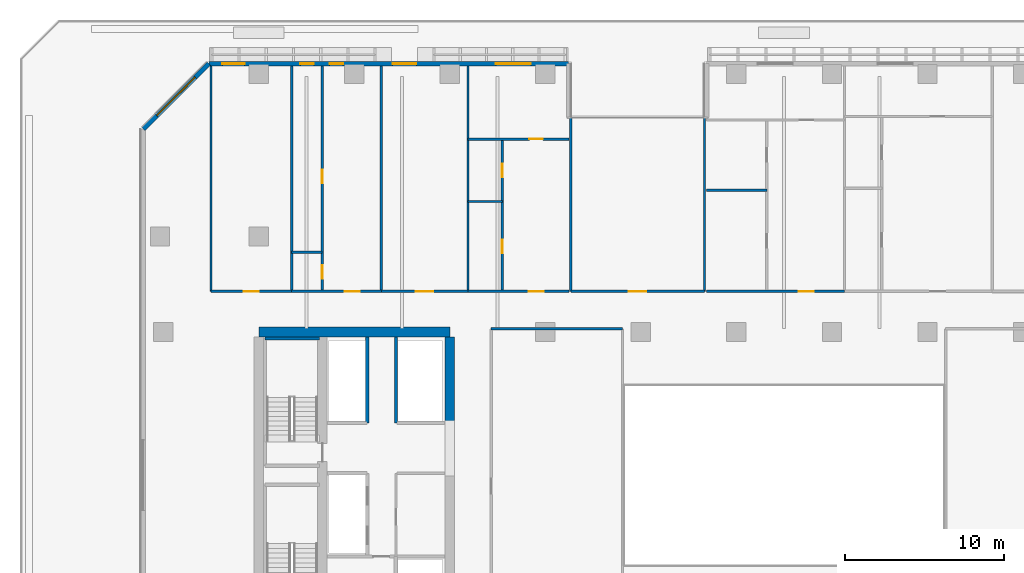
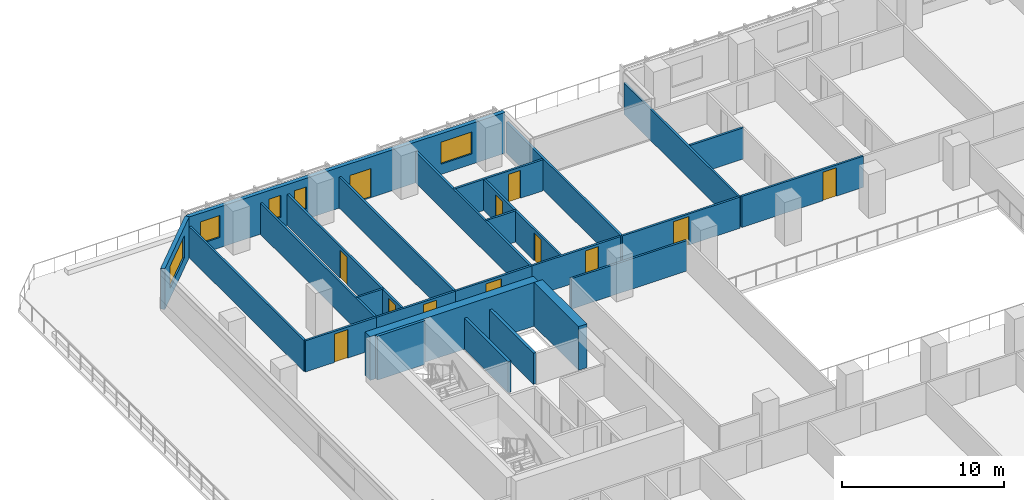
# One storey, part 8 of 23: 26 walls, 12 doors, 5 windows, 17 openings.
"""IFC4 building model written with IfcOpenShell, lengths in metres."""

import ifcopenshell
import ifcopenshell.guid

model = None  # the IFC model being written
_history = None  # IfcOwnerHistory: only IFC2X3 demands one
_inside = {}  # id of a spatial element -> (the spatial element, [elements in it])
_under = {}  # id of a project, library or spatial element -> (it, [spatial elements below it])
_declared = {}  # id of a project -> (the project, [libraries it declares])
_typed = {}  # id of a type object -> (the type object, [elements of that type])
_made_of = {}  # id of a material, layer set ... -> (it, [elements and type objects made of it])


def new_model(schema):
    """Start an empty IFC model of exactly this schema.

    Asked for "IFC4X3", IfcOpenShell would pick the latest addendum, in which some entities
    have other attributes; the version numbers below select the first issue.
    IFC2X3 requires an IfcOwnerHistory on every rooted entity: one is made here for all.
    """
    global model, _history
    if schema == "IFC4X3":
        model = ifcopenshell.file(schema_version=(4, 3, 0, 0))
    else:
        model = ifcopenshell.file(schema=schema)
    _inside.clear()
    _under.clear()
    _declared.clear()
    _typed.clear()
    _made_of.clear()
    _history = None
    if model.schema == "IFC2X3":
        org = make("IfcOrganization", Name="unknown")
        user = make(
            "IfcPersonAndOrganization",
            ThePerson=make("IfcPerson", FamilyName="unknown"),
            TheOrganization=org,
        )
        app = make(
            "IfcApplication",
            ApplicationDeveloper=org,
            Version="unknown",
            ApplicationFullName="unknown",
            ApplicationIdentifier="unknown",
        )
        _history = make(
            "IfcOwnerHistory",
            OwningUser=user,
            OwningApplication=app,
            ChangeAction="ADDED",
            CreationDate=0,
        )
    return model


def make(cls, **values):
    """One entity of the class cls with the attributes given. An attribute that is None is left unset."""
    return model.create_entity(
        cls, **{name: value for name, value in values.items() if value is not None}
    )


def rooted(cls, **values):
    """An entity with a GlobalId (a new one), such as an element, a storey or a relation."""
    return make(cls, GlobalId=ifcopenshell.guid.new(), OwnerHistory=_history, **values)


def si_unit(unit_type, name, prefix=None):
    """IfcSIUnit, for example si_unit("LENGTHUNIT", "METRE", prefix="MILLI")."""
    return make("IfcSIUnit", UnitType=unit_type, Prefix=prefix, Name=name)


def assignment(units):
    """IfcUnitAssignment: the units of a project."""
    return None if units is None else make("IfcUnitAssignment", Units=units)


def point(xyz):
    """IfcCartesianPoint."""
    return None if xyz is None else make("IfcCartesianPoint", Coordinates=xyz)


def direction(xyz):
    """IfcDirection."""
    return None if xyz is None else make("IfcDirection", DirectionRatios=xyz)


def frame(location, z_axis=None, x_axis=None):
    """IfcAxis2Placement3D, a coordinate frame: its origin and axes. An axis left out is left unset."""
    return make(
        "IfcAxis2Placement3D",
        Location=point(location),
        Axis=direction(z_axis),
        RefDirection=direction(x_axis),
    )


def frame_2d(location, x_axis=None):
    """IfcAxis2Placement2D, a coordinate frame in the plane: its origin and x axis."""
    return make(
        "IfcAxis2Placement2D", Location=point(location), RefDirection=direction(x_axis)
    )


def origin():
    """The frame at (0, 0, 0) with its axes left unset."""
    return frame((0.0, 0.0, 0.0))


def place(relative_to, where):
    """IfcLocalPlacement: puts the frame where relative to a parent placement (None: the world)."""
    return make(
        "IfcLocalPlacement", PlacementRelTo=relative_to, RelativePlacement=where
    )


def context(
    kind, dimensions, precision=None, world=None, true_north=None, identifier=None
):
    """IfcGeometricRepresentationContext, for example the 3D "Model" context."""
    return make(
        "IfcGeometricRepresentationContext",
        ContextIdentifier=identifier,
        ContextType=kind,
        CoordinateSpaceDimension=dimensions,
        Precision=precision,
        WorldCoordinateSystem=world,
        TrueNorth=true_north,
    )


def subcontext(parent, identifier, kind, view, scale=None):
    """IfcGeometricRepresentationSubContext, for example "Body" below "Model"."""
    return make(
        "IfcGeometricRepresentationSubContext",
        ContextIdentifier=identifier,
        ContextType=kind,
        ParentContext=parent,
        TargetScale=scale,
        TargetView=view,
    )


def project(units=None, contexts=None):
    """IfcProject with its units and contexts."""
    return rooted(
        "IfcProject",
        Name="project",
        RepresentationContexts=contexts,
        UnitsInContext=assignment(units),
    )


def spatial(cls, under=None, at=None, **own):
    """A site, building, storey or space (cls), placed at a placement, below another one or the project."""
    s = rooted(cls, ObjectPlacement=at, **own)
    if under is not None:
        _under.setdefault(under.id(), (under, []))[1].append(s)
    return s


def profile(cls, at=None, kind="AREA", **sizes):
    """A parametric profile (cls). Its sizes go by their IFC names, for example OverallWidth=200.0."""
    return make(cls, ProfileType=kind, Position=at, **sizes)


def rectangle(**sizes):
    """IfcRectangleProfileDef."""
    return profile("IfcRectangleProfileDef", **sizes)


def extrude(swept, where, along, depth):
    """IfcExtrudedAreaSolid: the profile swept, set in the frame where, extruded along a direction by depth."""
    return make(
        "IfcExtrudedAreaSolid",
        SweptArea=swept,
        Position=where,
        ExtrudedDirection=direction(along),
        Depth=depth,
    )


def shape(context_of_items, identifier, shape_type, items):
    """IfcShapeRepresentation: the items that make up one representation, for example the "Body"."""
    return make(
        "IfcShapeRepresentation",
        ContextOfItems=context_of_items,
        RepresentationIdentifier=identifier,
        RepresentationType=shape_type,
        Items=items,
    )


def material(Name=None, Category=None):
    """IfcMaterial."""
    return make("IfcMaterial", Name=Name, Category=Category)


def layer(
    of_material, thickness, ventilated=None, Name=None, Category=None, Priority=None
):
    """IfcMaterialLayer: one layer of a wall or slab, of a material (None: an air gap)."""
    return make(
        "IfcMaterialLayer",
        Material=of_material,
        LayerThickness=thickness,
        IsVentilated=ventilated,
        Name=Name,
        Category=Category,
        Priority=Priority,
    )


def layer_set(layers, Name=None):
    """IfcMaterialLayerSet."""
    return make("IfcMaterialLayerSet", MaterialLayers=layers, LayerSetName=Name)


def made_of(thing, what):
    """Note that an element or type object is made of a material, layer set ...; save() writes the relation."""
    if what is not None:
        _made_of.setdefault(what.id(), (what, []))[1].append(thing)
    return thing


def type_object(cls, material=None, **own):
    """A type object (cls), such as IfcWallType, which elements share."""
    return made_of(rooted(cls, **own), material)


def element(
    cls,
    number,
    at=None,
    inside=None,
    cuts=None,
    type_object=None,
    material=None,
    context=None,
    identifier="Body",
    shape_type=None,
    held_by="IfcProductDefinitionShape",
    body=None,
    shapes=None,
    **own,
):
    """One element of the class cls, such as IfcWall. Its Tag is "e" and its number.

    at: its placement. inside: the storey or other place that contains it. cuts: it is an
    opening in that element (IfcRelVoidsElement). A single representation is given by context,
    identifier, shape_type and body (its items); several are given by shapes. held_by: the class
    of the entity that holds the representations. save() writes the other relations.
    """
    e = rooted(cls, Tag="e%d" % number, ObjectPlacement=at, **own)
    if body is not None:
        shapes = [shape(context, identifier, shape_type, body)]
    if shapes is not None:
        e.Representation = make(held_by, Representations=shapes)
    if inside is not None:
        _inside.setdefault(inside.id(), (inside, []))[1].append(e)
    if cuts is not None:
        rooted(
            "IfcRelVoidsElement", RelatingBuildingElement=cuts, RelatedOpeningElement=e
        )
    if type_object is not None:
        _typed.setdefault(type_object.id(), (type_object, []))[1].append(e)
    return made_of(e, material)


def fill(opening, filler):
    """IfcRelFillsElement: the door or window that sits in an opening."""
    return rooted(
        "IfcRelFillsElement",
        RelatingOpeningElement=opening,
        RelatedBuildingElement=filler,
    )


def aggregate(whole, parts):
    """IfcRelAggregates: a whole, such as a stair, and the parts it consists of."""
    return rooted("IfcRelAggregates", RelatingObject=whole, RelatedObjects=parts)


def save(model, path):
    """Write the relations noted so far, then the file.

    IfcRelAggregates (storeys below a building ...), IfcRelContainedInSpatialStructure (elements
    in a storey), IfcRelDefinesByType, IfcRelAssociatesMaterial and IfcRelDeclares: one each for
    every whole, place, type object, material and project.
    """
    for whole, parts in _under.values():
        aggregate(whole, parts)
    for where, things in _inside.values():
        rooted(
            "IfcRelContainedInSpatialStructure",
            RelatedElements=things,
            RelatingStructure=where,
        )
    for kind, things in _typed.values():
        rooted("IfcRelDefinesByType", RelatedObjects=things, RelatingType=kind)
    for what, things in _made_of.values():
        rooted("IfcRelAssociatesMaterial", RelatedObjects=things, RelatingMaterial=what)
    for by, libraries in _declared.values():
        rooted("IfcRelDeclares", RelatingContext=by, RelatedDefinitions=libraries)
    model.write(path)


model = new_model("IFC4")

# Units and contexts
model_context = context("Model", 3, precision=1e-05, world=origin(), true_north=direction((0.0, 1.0)))
body_context = subcontext(model_context, "Body", "Model", "MODEL_VIEW")
ifc_project = project(units=[si_unit("LENGTHUNIT", "METRE"), si_unit("AREAUNIT", "SQUARE_METRE"), si_unit("VOLUMEUNIT", "CUBIC_METRE"), si_unit("PLANEANGLEUNIT", "RADIAN"), si_unit("MASSUNIT", "GRAM", prefix="KILO")], contexts=[model_context])

# Site, building, storey
site_placement = place(None, origin())
site = spatial("IfcSite", under=ifc_project, at=site_placement, CompositionType="ELEMENT")
building_placement = place(site_placement, origin())
building = spatial("IfcBuilding", under=site, at=building_placement, Name="Tanjung Sevakor Pilgrim Tower", CompositionType="ELEMENT")
storey_placement = place(building_placement, frame((0.0, 0.0, 29.0400390625)))
storey = spatial("IfcBuildingStorey", under=building, at=storey_placement, Name="L07", CompositionType="ELEMENT", Elevation=29.0400390625)

# Walls
ifc_material_1 = material(Name="Concrete C60/75", Category="concrete")
ifc_layer_1 = layer(ifc_material_1, 0.60009765625)
ifc_layer_set_1 = layer_set([ifc_layer_1], Name="WALL-CW-600")
wall_type_1 = type_object("IfcWallType", Name="WALL-CW-600", PredefinedType="SHEAR", material=ifc_layer_set_1)
wall_1_placement = place(storey_placement, frame((36.0, 42.60009765625, 0.0), z_axis=(0.0, 0.0, 1.0), x_axis=(-1.0, 0.0, 0.0)))
element("IfcWall", 1, at=wall_1_placement, inside=storey, type_object=wall_type_1, Name="L07 W Core North Shear Wall", PredefinedType="SHEAR", context=body_context, shape_type="SweptSolid", body=[
    extrude(rectangle(XDim=12.0, YDim=0.60009765625, at=frame_2d((6.0, 0.0))), origin(), (0.0, 0.0, 1.0), 3.300048828125),
])
wall_2_placement = place(storey_placement, frame((36.0, 36.800048828125, 0.0), z_axis=(0.0, 0.0, 1.0), x_axis=(0.0, 1.0, 0.0)))
element("IfcWall", 2, at=wall_2_placement, inside=storey, type_object=wall_type_1, Name="L07 W Core Inner Shear Wall North", PredefinedType="SHEAR", context=body_context, shape_type="SweptSolid", body=[
    extrude(rectangle(XDim=5.5, YDim=0.60009765625, at=frame_2d((2.75, 0.0))), origin(), (0.0, 0.0, 1.0), 3.300048828125),
])
ifc_material_2 = material(Name="Concrete C40/50", Category="concrete")
ifc_layer_2 = layer(ifc_material_2, 0.14990234375)
ifc_layer_set_2 = layer_set([ifc_layer_2], Name="WT-COMP-150")
wall_type_2 = type_object("IfcWallType", Name="WT-COMP-150", PredefinedType="SOLIDWALL", material=ifc_layer_set_2)
wall_3_placement = place(storey_placement, frame((38.60009765625, 42.800048828125, 0.0), z_axis=(0.0, 0.0, 1.0), x_axis=(1.0, 0.0, 0.0)))
element("IfcWall", 3, at=wall_3_placement, inside=storey, type_object=wall_type_2, Name="L07 Partition IW-L07-022", PredefinedType="SOLIDWALL", context=body_context, shape_type="SweptSolid", body=[
    extrude(rectangle(XDim=8.25, YDim=0.14990234375, at=frame_2d((4.125, 0.0))), origin(), (0.0, 0.0, 1.0), 2.295166015625),
])

# Wall, opening, door
wall_4_placement = place(storey_placement, frame((43.60009765625, 45.14990234375, 0.0), z_axis=(0.0, 0.0, 1.0), x_axis=(1.0, 0.0, 0.0)))
wall_4 = element("IfcWall", 4, at=wall_4_placement, inside=storey, type_object=wall_type_2, Name="L07 Partition IW-L07-039", PredefinedType="SOLIDWALL", context=body_context, shape_type="SweptSolid", body=[
    extrude(rectangle(XDim=8.39990234375, YDim=0.14990234375, at=frame_2d((4.199951171875, 0.0))), origin(), (0.0, 0.0, 1.0), 2.35009765625),
])
opening_1_placement = place(wall_4_placement, frame((3.64990234375, 0.0, 0.0)))
opening_1 = element("IfcOpeningElement", 5, at=opening_1_placement, cuts=wall_4, Name="Opening ID-RM2", PredefinedType="OPENING", context=body_context, shape_type="SweptSolid", body=[
    extrude(rectangle(XDim=1.10009765625, YDim=2.14990234375, at=frame_2d((0.550048828125, 1.074951171875))), frame((0.0, 0.0849609375, 0.0), z_axis=(0.0, -1.0, 0.0), x_axis=(1.0, 0.0, 0.0)), (0.0, 0.0, 1.0), 0.169921875),
])
ifc_material_3 = material(Name="Hardwood Timber", Category="wood")
door_type_1 = type_object("IfcDoorType", Name="DT-INT-1100", OperationType="NOTDEFINED", PredefinedType="DOOR", material=ifc_material_3)
door_1_placement = place(opening_1_placement, origin())
door_1 = element("IfcDoor", 6, at=door_1_placement, inside=storey, type_object=door_type_1, Name="L07 North Cleft Seminar Room Door", OperationType="SINGLE_SWING_RIGHT", OverallHeight=2.14990234375, OverallWidth=1.10009765625, PredefinedType="DOOR", context=body_context, shape_type="SweptSolid", body=[
    extrude(rectangle(XDim=1.10009765625, YDim=2.14990234375, at=frame_2d((0.550048828125, 1.074951171875))), frame((0.0, 0.02490234375, 0.0), z_axis=(0.0, -1.0, 0.0), x_axis=(1.0, 0.0, 0.0)), (0.0, 0.0, 1.0), 0.050048828125),
])
fill(opening_1, door_1)

# Walls
for number, where, z_axis, x_axis, name in (
    (7, (43.60009765625, 45.14990234375, 0.0), (0.0, 0.0, 1.0), (0.0, 1.0, 0.0), "L07 Partition IW-L07-040"),
    (8, (52.0, 45.14990234375, 0.0), (0.0, 0.0, 1.0), (0.0, 1.0, 0.0), "L07 Partition IW-L07-041"),
    (9, (21.0, 45.14990234375, 0.0), (0.0, 0.0, 1.0), (0.0, 1.0, 0.0), "L07 Partition IW-L07-077"),
    (10, (26.068603515625, 45.14990234375, 0.0), (0.0, 0.0, 1.0), (0.0, 1.0, 0.0), "L07 Partition IW-L07-078"),
):
    element("IfcWall", number, at=place(storey_placement, frame(where, z_axis=z_axis, x_axis=x_axis)), inside=storey, type_object=wall_type_2, Name=name, PredefinedType="SOLIDWALL", context=body_context, shape_type="SweptSolid", body=[
        extrude(rectangle(XDim=14.170166015625, YDim=0.14990234375, at=frame_2d((7.0849609375, 0.0))), origin(), (0.0, 0.0, 1.0), 2.35009765625),
    ])

# Wall, opening, door
wall_5_placement = place(storey_placement, frame((21.0, 45.14990234375, 0.0), z_axis=(0.0, 0.0, 1.0), x_axis=(1.0, 0.0, 0.0)))
wall_5 = element("IfcWall", 11, at=wall_5_placement, inside=storey, type_object=wall_type_2, Name="L07 Partition IW-L07-079", PredefinedType="SOLIDWALL", context=body_context, shape_type="SweptSolid", body=[
    extrude(rectangle(XDim=5.068603515625, YDim=0.14990234375, at=frame_2d((2.5341796875, 0.0))), origin(), (0.0, 0.0, 1.0), 2.35009765625),
])
opening_2_placement = place(wall_5_placement, frame((2.059326171875, 0.0, 0.0)))
opening_2 = element("IfcOpeningElement", 12, at=opening_2_placement, cuts=wall_5, Name="Opening ID-FD2", PredefinedType="OPENING", context=body_context, shape_type="SweptSolid", body=[
    extrude(rectangle(XDim=0.949951171875, YDim=2.14990234375, at=frame_2d((0.47509765625, 1.074951171875))), frame((0.0, 0.0849609375, 0.0), z_axis=(0.0, -1.0, 0.0), x_axis=(1.0, 0.0, 0.0)), (0.0, 0.0, 1.0), 0.169921875),
])
ifc_material_4 = material(Name="Fire-Rated Timber", Category="wood")
door_type_2 = type_object("IfcDoorType", Name="DT-FIRE-950", OperationType="NOTDEFINED", PredefinedType="DOOR", material=ifc_material_4)
door_2_placement = place(opening_2_placement, origin())
door_2 = element("IfcDoor", 13, at=door_2_placement, inside=storey, type_object=door_type_2, Name="Study Room Entrance", OperationType="SINGLE_SWING_LEFT", OverallHeight=2.14990234375, OverallWidth=0.949951171875, PredefinedType="DOOR", context=body_context, shape_type="SweptSolid", body=[
    extrude(rectangle(XDim=0.949951171875, YDim=2.14990234375, at=frame_2d((0.47509765625, 1.074951171875))), frame((0.0, 0.02490234375, 0.0), z_axis=(0.0, -1.0, 0.0), x_axis=(1.0, 0.0, 0.0)), (0.0, 0.0, 1.0), 0.050048828125),
])
fill(opening_2, door_2)

# Wall
wall_6_placement = place(storey_placement, frame((31.7001953125, 45.14990234375, 0.0), z_axis=(0.0, 0.0, 1.0), x_axis=(0.0, 1.0, 0.0)))
element("IfcWall", 14, at=wall_6_placement, inside=storey, type_object=wall_type_2, Name="L07 Partition IW-L07-080", PredefinedType="SOLIDWALL", context=body_context, shape_type="SweptSolid", body=[
    extrude(rectangle(XDim=14.170166015625, YDim=0.14990234375, at=frame_2d((7.0849609375, 0.0))), origin(), (0.0, 0.0, 1.0), 2.35009765625),
])

# Wall, opening, door
wall_7_placement = place(storey_placement, frame((26.068603515625, 45.14990234375, 0.0), z_axis=(0.0, 0.0, 1.0), x_axis=(1.0, 0.0, 0.0)))
wall_7 = element("IfcWall", 15, at=wall_7_placement, inside=storey, type_object=wall_type_2, Name="L07 Partition IW-L07-083", PredefinedType="SOLIDWALL", context=body_context, shape_type="SweptSolid", body=[
    extrude(rectangle(XDim=5.631591796875, YDim=0.14990234375, at=frame_2d((2.81591796875, 0.0))), origin(), (0.0, 0.0, 1.0), 2.35009765625),
])
opening_3_placement = place(wall_7_placement, frame((3.338134765625, 0.0, 0.0)))
opening_3 = element("IfcOpeningElement", 16, at=opening_3_placement, cuts=wall_7, Name="Opening ID-FD2", PredefinedType="OPENING", context=body_context, shape_type="SweptSolid", body=[
    extrude(rectangle(XDim=0.949951171875, YDim=2.14990234375, at=frame_2d((0.47509765625, 1.074951171875))), frame((0.0, 0.0849609375, 0.0), z_axis=(0.0, -1.0, 0.0), x_axis=(1.0, 0.0, 0.0)), (0.0, 0.0, 1.0), 0.169921875),
])
door_3_placement = place(opening_3_placement, origin())
door_3 = element("IfcDoor", 17, at=door_3_placement, inside=storey, type_object=door_type_2, Name="Hotel Guestroom Entrance", OperationType="SINGLE_SWING_RIGHT", OverallHeight=2.14990234375, OverallWidth=0.949951171875, PredefinedType="DOOR", context=body_context, shape_type="SweptSolid", body=[
    extrude(rectangle(XDim=0.949951171875, YDim=2.14990234375, at=frame_2d((0.47509765625, 1.074951171875))), frame((0.0, 0.02490234375, 0.0), z_axis=(0.0, -1.0, 0.0), x_axis=(1.0, 0.0, 0.0)), (0.0, 0.0, 1.0), 0.050048828125),
])
fill(opening_3, door_3)

# Wall
wall_8_placement = place(storey_placement, frame((37.144287109375, 45.14990234375, 0.0), z_axis=(0.0, 0.0, 1.0), x_axis=(0.0, 1.0, 0.0)))
element("IfcWall", 18, at=wall_8_placement, inside=storey, type_object=wall_type_2, Name="L07 Partition IW-L07-084", PredefinedType="SOLIDWALL", context=body_context, shape_type="SweptSolid", body=[
    extrude(rectangle(XDim=14.170166015625, YDim=0.14990234375, at=frame_2d((7.0849609375, 0.0))), origin(), (0.0, 0.0, 1.0), 2.35009765625),
])

# Wall, opening, door
wall_9_placement = place(storey_placement, frame((31.7001953125, 45.14990234375, 0.0), z_axis=(0.0, 0.0, 1.0), x_axis=(1.0, 0.0, 0.0)))
wall_9 = element("IfcWall", 19, at=wall_9_placement, inside=storey, type_object=wall_type_2, Name="L07 Partition IW-L07-085", PredefinedType="SOLIDWALL", context=body_context, shape_type="SweptSolid", body=[
    extrude(rectangle(XDim=5.444091796875, YDim=0.14990234375, at=frame_2d((2.72216796875, 0.0))), origin(), (0.0, 0.0, 1.0), 2.35009765625),
])
opening_4_placement = place(wall_9_placement, frame((2.172119140625, 0.0, 0.0)))
opening_4 = element("IfcOpeningElement", 20, at=opening_4_placement, cuts=wall_9, Name="Opening ID-FD0", PredefinedType="OPENING", context=body_context, shape_type="SweptSolid", body=[
    extrude(rectangle(XDim=1.10009765625, YDim=2.14990234375, at=frame_2d((0.550048828125, 1.074951171875))), frame((0.0, 0.0849609375, 0.0), z_axis=(0.0, -1.0, 0.0), x_axis=(1.0, 0.0, 0.0)), (0.0, 0.0, 1.0), 0.169921875),
])
ifc_material_5 = material(Name="Fire-Rated Steel S355J2", Category="steel")
door_type_3 = type_object("IfcDoorType", Name="DT-FIRE-1100", OperationType="NOTDEFINED", PredefinedType="DOOR", material=ifc_material_5)
door_4_placement = place(opening_4_placement, origin())
door_4 = element("IfcDoor", 21, at=door_4_placement, inside=storey, type_object=door_type_3, Name="Seminar Room Door", OperationType="SINGLE_SWING_LEFT", OverallHeight=2.14990234375, OverallWidth=1.10009765625, PredefinedType="DOOR", context=body_context, shape_type="SweptSolid", body=[
    extrude(rectangle(XDim=1.10009765625, YDim=2.14990234375, at=frame_2d((0.550048828125, 1.074951171875))), frame((0.0, 0.02490234375, 0.0), z_axis=(0.0, -1.0, 0.0), x_axis=(1.0, 0.0, 0.0)), (0.0, 0.0, 1.0), 0.050048828125),
])
fill(opening_4, door_4)

wall_10_placement = place(storey_placement, frame((37.144287109375, 45.14990234375, 0.0), z_axis=(0.0, 0.0, 1.0), x_axis=(1.0, 0.0, 0.0)))
wall_10 = element("IfcWall", 22, at=wall_10_placement, inside=storey, type_object=wall_type_2, Name="L07 Partition IW-L07-089", PredefinedType="SOLIDWALL", context=body_context, shape_type="SweptSolid", body=[
    extrude(rectangle(XDim=6.335693359375, YDim=0.14990234375, at=frame_2d((3.16796875, 0.0))), origin(), (0.0, 0.0, 1.0), 2.35009765625),
])
opening_5_placement = place(wall_10_placement, frame((3.809814453125, 0.0, 0.0)))
opening_5 = element("IfcOpeningElement", 23, at=opening_5_placement, cuts=wall_10, Name="Opening ID-FD2", PredefinedType="OPENING", context=body_context, shape_type="SweptSolid", body=[
    extrude(rectangle(XDim=0.949951171875, YDim=2.14990234375, at=frame_2d((0.47509765625, 1.074951171875))), frame((0.0, 0.0849609375, 0.0), z_axis=(0.0, -1.0, 0.0), x_axis=(1.0, 0.0, 0.0)), (0.0, 0.0, 1.0), 0.169921875),
])
door_5_placement = place(opening_5_placement, origin())
door_5 = element("IfcDoor", 24, at=door_5_placement, inside=storey, type_object=door_type_2, Name="Residence Entrance", OperationType="SINGLE_SWING_LEFT", OverallHeight=2.14990234375, OverallWidth=0.949951171875, PredefinedType="DOOR", context=body_context, shape_type="SweptSolid", body=[
    extrude(rectangle(XDim=0.949951171875, YDim=2.14990234375, at=frame_2d((0.47509765625, 1.074951171875))), frame((0.0, 0.02490234375, 0.0), z_axis=(0.0, -1.0, 0.0), x_axis=(1.0, 0.0, 0.0)), (0.0, 0.0, 1.0), 0.050048828125),
])
fill(opening_5, door_5)

wall_11_placement = place(storey_placement, frame((52.1201171875, 45.14990234375, 0.0), z_axis=(0.0, 0.0, 1.0), x_axis=(1.0, 0.0, 0.0)))
wall_11 = element("IfcWall", 25, at=wall_11_placement, inside=storey, type_object=wall_type_2, Name="L07 Partition IW-L07-095", PredefinedType="SOLIDWALL", context=body_context, shape_type="SweptSolid", body=[
    extrude(rectangle(XDim=8.67626953125, YDim=0.14990234375, at=frame_2d((4.338134765625, 0.0))), origin(), (0.0, 0.0, 1.0), 2.35009765625),
])
opening_6_placement = place(wall_11_placement, frame((5.80322265625, 0.0, 0.0)))
opening_6 = element("IfcOpeningElement", 26, at=opening_6_placement, cuts=wall_11, Name="Opening ID-FD2", PredefinedType="OPENING", context=body_context, shape_type="SweptSolid", body=[
    extrude(rectangle(XDim=0.949951171875, YDim=2.14990234375, at=frame_2d((0.47509765625, 1.074951171875))), frame((0.0, 0.0849609375, 0.0), z_axis=(0.0, -1.0, 0.0), x_axis=(1.0, 0.0, 0.0)), (0.0, 0.0, 1.0), 0.169921875),
])
door_6_placement = place(opening_6_placement, origin())
door_6 = element("IfcDoor", 27, at=door_6_placement, inside=storey, type_object=door_type_2, Name="Residence Entrance", OperationType="SINGLE_SWING_LEFT", OverallHeight=2.14990234375, OverallWidth=0.949951171875, PredefinedType="DOOR", context=body_context, shape_type="SweptSolid", body=[
    extrude(rectangle(XDim=0.949951171875, YDim=2.14990234375, at=frame_2d((0.47509765625, 1.074951171875))), frame((0.0, 0.02490234375, 0.0), z_axis=(0.0, -1.0, 0.0), x_axis=(1.0, 0.0, 0.0)), (0.0, 0.0, 1.0), 0.050048828125),
])
fill(opening_6, door_6)

# Wall, openings, door, windows
ifc_material_6 = material(Name="Precast concrete C45/55", Category="concrete")
ifc_layer_3 = layer(ifc_material_6, 0.280029296875)
ifc_layer_set_3 = layer_set([ifc_layer_3], Name="WT-EW-STN2")
wall_type_3 = type_object("IfcWallType", Name="WT-EW-STN2", PredefinedType="SOLIDWALL", material=ifc_layer_set_3)
wall_12_placement = place(storey_placement, frame((43.4599609375, 59.4599609375, 0.0), z_axis=(0.0, 0.0, 1.0), x_axis=(-1.0, 0.0, 0.0)))
wall_12 = element("IfcWall", 28, at=wall_12_placement, inside=storey, type_object=wall_type_3, Name="L07 MAIN Exterior Wall 13", PredefinedType="SOLIDWALL", context=body_context, shape_type="SweptSolid", body=[
    extrude(rectangle(XDim=22.60205078125, YDim=0.280029296875, at=frame_2d((11.301025390625, 0.0))), origin(), (0.0, 0.0, 1.0), 3.080078125),
])
opening_7_placement = place(wall_12_placement, frame((9.551025390625, 0.0, 0.0)))
opening_7 = element("IfcOpeningElement", 29, at=opening_7_placement, cuts=wall_12, Name="Opening ED-TER-1500", PredefinedType="OPENING", context=body_context, shape_type="SweptSolid", body=[
    extrude(rectangle(XDim=1.5, YDim=2.199951171875, at=frame_2d((0.75, 1.10009765625))), frame((0.0, 0.14990234375, 0.0), z_axis=(0.0, -1.0, 0.0), x_axis=(1.0, 0.0, 0.0)), (0.0, 0.0, 1.0), 0.300048828125),
])
opening_8_placement = place(wall_12_placement, frame((20.345703125, 0.0, 0.780029296875)))
opening_8 = element("IfcOpeningElement", 30, at=opening_8_placement, cuts=wall_12, Name="Opening WN-END", PredefinedType="OPENING", context=body_context, shape_type="SweptSolid", body=[
    extrude(rectangle(XDim=1.39990234375, YDim=1.64990234375, at=frame_2d((0.699951171875, 0.824951171875))), frame((0.0, 0.14990234375, 0.0), z_axis=(0.0, -1.0, 0.0), x_axis=(1.0, 0.0, 0.0)), (0.0, 0.0, 1.0), 0.300048828125),
])
opening_9_placement = place(wall_12_placement, frame((15.9990234375, 0.0, 0.780029296875)))
opening_9 = element("IfcOpeningElement", 31, at=opening_9_placement, cuts=wall_12, Name="Opening WN-SLM", PredefinedType="OPENING", context=body_context, shape_type="SweptSolid", body=[
    extrude(rectangle(XDim=0.85009765625, YDim=1.64990234375, at=frame_2d((0.425048828125, 0.824951171875))), frame((0.0, 0.14990234375, 0.0), z_axis=(0.0, -1.0, 0.0), x_axis=(1.0, 0.0, 0.0)), (0.0, 0.0, 1.0), 0.300048828125),
])
opening_10_placement = place(wall_12_placement, frame((14.1630859375, 0.0, 0.780029296875)))
opening_10 = element("IfcOpeningElement", 32, at=opening_10_placement, cuts=wall_12, Name="Opening WN-SLM", PredefinedType="OPENING", context=body_context, shape_type="SweptSolid", body=[
    extrude(rectangle(XDim=0.85009765625, YDim=1.64990234375, at=frame_2d((0.425048828125, 0.824951171875))), frame((0.0, 0.14990234375, 0.0), z_axis=(0.0, -1.0, 0.0), x_axis=(1.0, 0.0, 0.0)), (0.0, 0.0, 1.0), 0.300048828125),
])
opening_11_placement = place(wall_12_placement, frame((2.367919921875, 0.0, 0.780029296875)))
opening_11 = element("IfcOpeningElement", 33, at=opening_11_placement, cuts=wall_12, Name="Opening WN-Z1-1660", PredefinedType="OPENING", context=body_context, shape_type="SweptSolid", body=[
    extrude(rectangle(XDim=2.199951171875, YDim=1.659912109375, at=frame_2d((1.10009765625, 0.830078125))), frame((0.0, 0.14990234375, 0.0), z_axis=(0.0, -1.0, 0.0), x_axis=(1.0, 0.0, 0.0)), (0.0, 0.0, 1.0), 0.300048828125),
])
ifc_material_7 = material(Name="Anodised Aluminium and Laminated Glass", Category="aluminium")
door_type_4 = type_object("IfcDoorType", Name="DTYP-ED-TER-1500", OperationType="DOUBLE_DOOR_SINGLE_SWING", PredefinedType="DOOR", material=ifc_material_7)
door_7_placement = place(opening_7_placement, frame((1.5, 0.0, 0.0), z_axis=(0.0, 0.0, 1.0), x_axis=(-1.0, 0.0, 0.0)))
door_7 = element("IfcDoor", 34, at=door_7_placement, inside=storey, type_object=door_type_4, Name="L07 Cascade Terrace Door N", OperationType="SINGLE_SWING_LEFT", OverallHeight=2.199951171875, OverallWidth=1.5, PredefinedType="DOOR", context=body_context, shape_type="SweptSolid", body=[
    extrude(rectangle(XDim=1.5, YDim=2.199951171875, at=frame_2d((0.75, 1.10009765625))), frame((0.0, 0.02490234375, 0.0), z_axis=(0.0, -1.0, 0.0), x_axis=(1.0, 0.0, 0.0)), (0.0, 0.0, 1.0), 0.050048828125),
])
fill(opening_7, door_7)
ifc_material_8 = material(Name="Thermally Broken Aluminium and Low-E Glass", Category="aluminium")
window_type_1 = type_object("IfcWindowType", Name="WTYP-WN-END", PartitioningType="SINGLE_PANEL", PredefinedType="WINDOW", material=ifc_material_8)
window_1_placement = place(opening_8_placement, origin())
window_1 = element("IfcWindow", 35, at=window_1_placement, inside=storey, type_object=window_type_1, Name="L07 Facade Window 01", OverallHeight=1.64990234375, OverallWidth=1.39990234375, PartitioningType="SINGLE_PANEL", PredefinedType="WINDOW", context=body_context, shape_type="SweptSolid", body=[
    extrude(rectangle(XDim=1.39990234375, YDim=1.64990234375, at=frame_2d((0.699951171875, 0.824951171875))), frame((0.0, 0.030029296875, 0.0), z_axis=(0.0, -1.0, 0.0), x_axis=(1.0, 0.0, 0.0)), (0.0, 0.0, 1.0), 0.06005859375),
])
fill(opening_8, window_1)
ifc_material_9 = material(Name="Thermally Broken Aluminium and Low-E Glass", Category="aluminium")
window_type_2 = type_object("IfcWindowType", Name="WTYP-WN-SLM", PartitioningType="SINGLE_PANEL", PredefinedType="WINDOW", material=ifc_material_9)
window_2_placement = place(opening_9_placement, origin())
window_2 = element("IfcWindow", 36, at=window_2_placement, inside=storey, type_object=window_type_2, Name="L07 Facade Window 02", OverallHeight=1.64990234375, OverallWidth=0.85009765625, PartitioningType="SINGLE_PANEL", PredefinedType="WINDOW", context=body_context, shape_type="SweptSolid", body=[
    extrude(rectangle(XDim=0.85009765625, YDim=1.64990234375, at=frame_2d((0.425048828125, 0.824951171875))), frame((0.0, 0.030029296875, 0.0), z_axis=(0.0, -1.0, 0.0), x_axis=(1.0, 0.0, 0.0)), (0.0, 0.0, 1.0), 0.06005859375),
])
fill(opening_9, window_2)
window_3_placement = place(opening_10_placement, origin())
window_3 = element("IfcWindow", 37, at=window_3_placement, inside=storey, type_object=window_type_2, Name="L07 Facade Window 03", OverallHeight=1.64990234375, OverallWidth=0.85009765625, PartitioningType="SINGLE_PANEL", PredefinedType="WINDOW", context=body_context, shape_type="SweptSolid", body=[
    extrude(rectangle(XDim=0.85009765625, YDim=1.64990234375, at=frame_2d((0.425048828125, 0.824951171875))), frame((0.0, 0.030029296875, 0.0), z_axis=(0.0, -1.0, 0.0), x_axis=(1.0, 0.0, 0.0)), (0.0, 0.0, 1.0), 0.06005859375),
])
fill(opening_10, window_3)
ifc_material_10 = material(Name="Thermally Broken Aluminium and Low-E Glass", Category="aluminium")
window_type_3 = type_object("IfcWindowType", Name="WTYP-WN-Z1-1660", PartitioningType="DOUBLE_PANEL_VERTICAL", PredefinedType="WINDOW", material=ifc_material_10)
window_4_placement = place(opening_11_placement, origin())
window_4 = element("IfcWindow", 38, at=window_4_placement, inside=storey, type_object=window_type_3, Name="L07 Facade Window 04", OverallHeight=1.659912109375, OverallWidth=2.199951171875, PartitioningType="SINGLE_PANEL", PredefinedType="WINDOW", context=body_context, shape_type="SweptSolid", body=[
    extrude(rectangle(XDim=2.199951171875, YDim=1.659912109375, at=frame_2d((1.10009765625, 0.830078125))), frame((0.0, 0.030029296875, 0.0), z_axis=(0.0, -1.0, 0.0), x_axis=(1.0, 0.0, 0.0)), (0.0, 0.0, 1.0), 0.06005859375),
])
fill(opening_11, window_4)

# Wall, opening, window
wall_13_placement = place(storey_placement, frame((20.85791015625, 59.4599609375, 0.0), z_axis=(0.0, 0.0, 1.0), x_axis=(-0.707106781187, -0.707106781187, 0.0)))
wall_13 = element("IfcWall", 39, at=wall_13_placement, inside=storey, type_object=wall_type_3, Name="L07 MAIN Sculpted Corner Wall 13", PredefinedType="SOLIDWALL", context=body_context, shape_type="SweptSolid", body=[
    extrude(rectangle(XDim=5.82373046875, YDim=0.280029296875, at=frame_2d((2.911865234375, 0.0))), origin(), (0.0, 0.0, 1.0), 3.080078125),
])
opening_12_placement = place(wall_13_placement, frame((1.2119140625, 0.0, 0.780029296875)))
opening_12 = element("IfcOpeningElement", 40, at=opening_12_placement, cuts=wall_13, Name="Opening WN-CHM-1660", PredefinedType="OPENING", context=body_context, shape_type="SweptSolid", body=[
    extrude(rectangle(XDim=3.39990234375, YDim=1.659912109375, at=frame_2d((1.699951171875, 0.830078125))), frame((0.0, 0.14990234375, 0.0), z_axis=(0.0, -1.0, 0.0), x_axis=(1.0, 0.0, 0.0)), (0.0, 0.0, 1.0), 0.300048828125),
])
ifc_material_11 = material(Name="Thermally Broken Aluminium and Low-E Glass", Category="aluminium")
window_type_4 = type_object("IfcWindowType", Name="WTYP-WN-CHM-1660", PartitioningType="DOUBLE_PANEL_VERTICAL", PredefinedType="WINDOW", material=ifc_material_11)
window_5_placement = place(opening_12_placement, origin())
window_5 = element("IfcWindow", 41, at=window_5_placement, inside=storey, type_object=window_type_4, Name="L07 Facade Window 01", OverallHeight=1.659912109375, OverallWidth=3.39990234375, PartitioningType="SINGLE_PANEL", PredefinedType="WINDOW", context=body_context, shape_type="SweptSolid", body=[
    extrude(rectangle(XDim=3.39990234375, YDim=1.659912109375, at=frame_2d((1.699951171875, 0.830078125))), frame((0.0, 0.030029296875, 0.0), z_axis=(0.0, -1.0, 0.0), x_axis=(1.0, 0.0, 0.0)), (0.0, 0.0, 1.0), 0.06005859375),
])
fill(opening_12, window_5)

# Walls
ifc_material_12 = material(Name="Concrete C40/50", Category="concrete")
ifc_layer_4 = layer(ifc_material_12, 0.199951171875)
ifc_layer_set_4 = layer_set([ifc_layer_4], Name="WT-FIRE-200")
wall_type_4 = type_object("IfcWallType", Name="WT-FIRE-200", PredefinedType="SOLIDWALL", material=ifc_layer_set_4)
wall_14_placement = place(storey_placement, frame((27.800048828125, 42.199951171875, 0.0), z_axis=(0.0, 0.0, 1.0), x_axis=(-1.0, 0.0, 0.0)))
element("IfcWall", 42, at=wall_14_placement, inside=storey, type_object=wall_type_4, Name="L07 TS-W2 Shaft Wall 2", PredefinedType="SOLIDWALL", context=body_context, shape_type="SweptSolid", body=[
    extrude(rectangle(XDim=3.400146484375, YDim=0.199951171875, at=frame_2d((1.7001953125, 0.0))), origin(), (0.0, 0.0, 1.0), 3.300048828125),
])
ifc_material_13 = material(Name="Concrete C40/50", Category="concrete")
ifc_layer_5 = layer(ifc_material_13, 0.199951171875)
ifc_layer_set_5 = layer_set([ifc_layer_5], Name="WT-FPRT-200")
wall_type_5 = type_object("IfcWallType", Name="WT-FPRT-200", PredefinedType="SOLIDWALL", material=ifc_layer_set_5)
for number, where, z_axis, x_axis, name in (
    (43, (30.820068359375, 36.8798828125, 0.0), (0.0, 0.0, 1.0), (0.0, 1.0, 0.0), "L07 Partition IW-L07-008"),
    (44, (32.6201171875, 36.8798828125, 0.0), (0.0, 0.0, 1.0), (0.0, 1.0, 0.0), "L07 Partition IW-L07-010"),
):
    element("IfcWall", number, at=place(storey_placement, frame(where, z_axis=z_axis, x_axis=x_axis)), inside=storey, type_object=wall_type_5, Name=name, PredefinedType="SOLIDWALL", context=body_context, shape_type="SweptSolid", body=[
        extrude(rectangle(XDim=5.420166015625, YDim=0.199951171875, at=frame_2d((2.7099609375, 0.0))), origin(), (0.0, 0.0, 1.0), 2.35009765625),
    ])
ifc_material_14 = material(Name="Gypsum Board Partition", Category="gypsum board")
ifc_layer_6 = layer(ifc_material_14, 0.14990234375)
ifc_layer_set_6 = layer_set([ifc_layer_6], Name="WT-PART-150")
wall_type_6 = type_object("IfcWallType", Name="WT-PART-150", PredefinedType="PARTITIONING", material=ifc_layer_set_6)
wall_15_placement = place(storey_placement, frame((26.068603515625, 47.60009765625, 0.0), z_axis=(0.0, 0.0, 1.0), x_axis=(1.0, 0.0, 0.0)))
element("IfcWall", 45, at=wall_15_placement, inside=storey, type_object=wall_type_6, Name="L07 Partition IW-L07-081", PredefinedType="PARTITIONING", context=body_context, shape_type="SweptSolid", body=[
    extrude(rectangle(XDim=1.914794921875, YDim=0.14990234375, at=frame_2d((0.95751953125, 0.0))), origin(), (0.0, 0.0, 1.0), 2.35009765625),
])

# Wall, openings, doors
wall_16_placement = place(storey_placement, frame((27.9833984375, 45.14990234375, 0.0), z_axis=(0.0, 0.0, 1.0), x_axis=(0.0, 1.0, 0.0)))
wall_16 = element("IfcWall", 46, at=wall_16_placement, inside=storey, type_object=wall_type_6, Name="L07 Partition IW-L07-082", PredefinedType="PARTITIONING", context=body_context, shape_type="SweptSolid", body=[
    extrude(rectangle(XDim=14.170166015625, YDim=0.14990234375, at=frame_2d((7.0849609375, 0.0))), origin(), (0.0, 0.0, 1.0), 2.35009765625),
])
opening_13_placement = place(wall_16_placement, frame((0.800048828125, 0.0, 0.0)))
opening_13 = element("IfcOpeningElement", 47, at=opening_13_placement, cuts=wall_16, Name="Opening ID-WC1", PredefinedType="OPENING", context=body_context, shape_type="SweptSolid", body=[
    extrude(rectangle(XDim=0.85009765625, YDim=2.10009765625, at=frame_2d((0.425048828125, 1.050048828125))), frame((0.0, 0.0849609375, 0.0), z_axis=(0.0, -1.0, 0.0), x_axis=(1.0, 0.0, 0.0)), (0.0, 0.0, 1.0), 0.169921875),
])
opening_14_placement = place(wall_16_placement, frame((6.798095703125, 0.0, 0.0)))
opening_14 = element("IfcOpeningElement", 48, at=opening_14_placement, cuts=wall_16, Name="Opening ID-WC1", PredefinedType="OPENING", context=body_context, shape_type="SweptSolid", body=[
    extrude(rectangle(XDim=0.85009765625, YDim=2.10009765625, at=frame_2d((0.425048828125, 1.050048828125))), frame((0.0, 0.0849609375, 0.0), z_axis=(0.0, -1.0, 0.0), x_axis=(1.0, 0.0, 0.0)), (0.0, 0.0, 1.0), 0.169921875),
])
ifc_material_15 = material(Name="Moisture-Resistant Timber", Category="wood")
door_type_5 = type_object("IfcDoorType", Name="DT-INT-850", OperationType="NOTDEFINED", PredefinedType="DOOR", material=ifc_material_15)
door_8_placement = place(opening_13_placement, origin())
door_8 = element("IfcDoor", 49, at=door_8_placement, inside=storey, type_object=door_type_5, Name="Bathroom Door", OperationType="SINGLE_SWING_RIGHT", OverallHeight=2.10009765625, OverallWidth=0.85009765625, PredefinedType="DOOR", context=body_context, shape_type="SweptSolid", body=[
    extrude(rectangle(XDim=0.85009765625, YDim=2.10009765625, at=frame_2d((0.425048828125, 1.050048828125))), frame((0.0, 0.02490234375, 0.0), z_axis=(0.0, -1.0, 0.0), x_axis=(1.0, 0.0, 0.0)), (0.0, 0.0, 1.0), 0.050048828125),
])
fill(opening_13, door_8)
door_9_placement = place(opening_14_placement, origin())
door_9 = element("IfcDoor", 50, at=door_9_placement, inside=storey, type_object=door_type_5, Name="Study Nook Door", OperationType="SINGLE_SWING_LEFT", OverallHeight=2.10009765625, OverallWidth=0.85009765625, PredefinedType="DOOR", context=body_context, shape_type="SweptSolid", body=[
    extrude(rectangle(XDim=0.85009765625, YDim=2.10009765625, at=frame_2d((0.425048828125, 1.050048828125))), frame((0.0, 0.02490234375, 0.0), z_axis=(0.0, -1.0, 0.0), x_axis=(1.0, 0.0, 0.0)), (0.0, 0.0, 1.0), 0.050048828125),
])
fill(opening_14, door_9)

# Wall
wall_17_placement = place(storey_placement, frame((37.144287109375, 50.79638671875, 0.0), z_axis=(0.0, 0.0, 1.0), x_axis=(1.0, 0.0, 0.0)))
element("IfcWall", 51, at=wall_17_placement, inside=storey, type_object=wall_type_6, Name="L07 Partition IW-L07-086", PredefinedType="PARTITIONING", context=body_context, shape_type="SweptSolid", body=[
    extrude(rectangle(XDim=2.154052734375, YDim=0.14990234375, at=frame_2d((1.0771484375, 0.0))), origin(), (0.0, 0.0, 1.0), 2.35009765625),
])

# Wall, openings, doors
wall_18_placement = place(storey_placement, frame((39.29833984375, 45.14990234375, 0.0), z_axis=(0.0, 0.0, 1.0), x_axis=(0.0, 1.0, 0.0)))
wall_18 = element("IfcWall", 52, at=wall_18_placement, inside=storey, type_object=wall_type_6, Name="L07 Partition IW-L07-087", PredefinedType="PARTITIONING", context=body_context, shape_type="SweptSolid", body=[
    extrude(rectangle(XDim=9.570068359375, YDim=0.14990234375, at=frame_2d((4.78515625, 0.0))), origin(), (0.0, 0.0, 1.0), 2.35009765625),
])
opening_15_placement = place(wall_18_placement, frame((2.398193359375, 0.0, 0.0)))
opening_15 = element("IfcOpeningElement", 53, at=opening_15_placement, cuts=wall_18, Name="Opening ID-WC1", PredefinedType="OPENING", context=body_context, shape_type="SweptSolid", body=[
    extrude(rectangle(XDim=0.85009765625, YDim=2.10009765625, at=frame_2d((0.425048828125, 1.050048828125))), frame((0.0, 0.0849609375, 0.0), z_axis=(0.0, -1.0, 0.0), x_axis=(1.0, 0.0, 0.0)), (0.0, 0.0, 1.0), 0.169921875),
])
opening_16_placement = place(wall_18_placement, frame((7.18310546875, 0.0, 0.0)))
opening_16 = element("IfcOpeningElement", 54, at=opening_16_placement, cuts=wall_18, Name="Opening ID-WC1", PredefinedType="OPENING", context=body_context, shape_type="SweptSolid", body=[
    extrude(rectangle(XDim=0.85009765625, YDim=2.10009765625, at=frame_2d((0.425048828125, 1.050048828125))), frame((0.0, 0.0849609375, 0.0), z_axis=(0.0, -1.0, 0.0), x_axis=(1.0, 0.0, 0.0)), (0.0, 0.0, 1.0), 0.169921875),
])
door_10_placement = place(opening_15_placement, origin())
door_10 = element("IfcDoor", 55, at=door_10_placement, inside=storey, type_object=door_type_5, Name="Residence Kitchenette Door", OperationType="SINGLE_SWING_RIGHT", OverallHeight=2.10009765625, OverallWidth=0.85009765625, PredefinedType="DOOR", context=body_context, shape_type="SweptSolid", body=[
    extrude(rectangle(XDim=0.85009765625, YDim=2.10009765625, at=frame_2d((0.425048828125, 1.050048828125))), frame((0.0, 0.02490234375, 0.0), z_axis=(0.0, -1.0, 0.0), x_axis=(1.0, 0.0, 0.0)), (0.0, 0.0, 1.0), 0.050048828125),
])
fill(opening_15, door_10)
door_11_placement = place(opening_16_placement, origin())
door_11 = element("IfcDoor", 56, at=door_11_placement, inside=storey, type_object=door_type_5, Name="Residence Bathroom Door", OperationType="SINGLE_SWING_LEFT", OverallHeight=2.10009765625, OverallWidth=0.85009765625, PredefinedType="DOOR", context=body_context, shape_type="SweptSolid", body=[
    extrude(rectangle(XDim=0.85009765625, YDim=2.10009765625, at=frame_2d((0.425048828125, 1.050048828125))), frame((0.0, 0.02490234375, 0.0), z_axis=(0.0, -1.0, 0.0), x_axis=(1.0, 0.0, 0.0)), (0.0, 0.0, 1.0), 0.050048828125),
])
fill(opening_16, door_11)

# Wall, opening, door
wall_19_placement = place(storey_placement, frame((37.144287109375, 54.719970703125, 0.0), z_axis=(0.0, 0.0, 1.0), x_axis=(1.0, 0.0, 0.0)))
wall_19 = element("IfcWall", 57, at=wall_19_placement, inside=storey, type_object=wall_type_6, Name="L07 Partition IW-L07-088", PredefinedType="PARTITIONING", context=body_context, shape_type="SweptSolid", body=[
    extrude(rectangle(XDim=6.335693359375, YDim=0.14990234375, at=frame_2d((3.16796875, 0.0))), origin(), (0.0, 0.0, 1.0), 2.35009765625),
])
opening_17_placement = place(wall_19_placement, frame((3.85986328125, 0.0, 0.0)))
opening_17 = element("IfcOpeningElement", 58, at=opening_17_placement, cuts=wall_19, Name="Opening ID-WC1", PredefinedType="OPENING", context=body_context, shape_type="SweptSolid", body=[
    extrude(rectangle(XDim=0.85009765625, YDim=2.10009765625, at=frame_2d((0.425048828125, 1.050048828125))), frame((0.0, 0.0849609375, 0.0), z_axis=(0.0, -1.0, 0.0), x_axis=(1.0, 0.0, 0.0)), (0.0, 0.0, 1.0), 0.169921875),
])
door_12_placement = place(opening_17_placement, origin())
door_12 = element("IfcDoor", 59, at=door_12_placement, inside=storey, type_object=door_type_5, Name="Residence Bedroom Door", OperationType="SINGLE_SWING_RIGHT", OverallHeight=2.10009765625, OverallWidth=0.85009765625, PredefinedType="DOOR", context=body_context, shape_type="SweptSolid", body=[
    extrude(rectangle(XDim=0.85009765625, YDim=2.10009765625, at=frame_2d((0.425048828125, 1.050048828125))), frame((0.0, 0.02490234375, 0.0), z_axis=(0.0, -1.0, 0.0), x_axis=(1.0, 0.0, 0.0)), (0.0, 0.0, 1.0), 0.050048828125),
])
fill(opening_17, door_12)

# Wall
wall_20_placement = place(storey_placement, frame((52.1201171875, 51.50439453125, 0.0), z_axis=(0.0, 0.0, 1.0), x_axis=(1.0, 0.0, 0.0)))
element("IfcWall", 60, at=wall_20_placement, inside=storey, type_object=wall_type_6, Name="L07 Partition IW-L07-092", PredefinedType="PARTITIONING", context=body_context, shape_type="SweptSolid", body=[
    extrude(rectangle(XDim=3.7998046875, YDim=0.14990234375, at=frame_2d((1.89990234375, 0.0))), origin(), (0.0, 0.0, 1.0), 2.35009765625),
])

save(model, "model.ifc")
